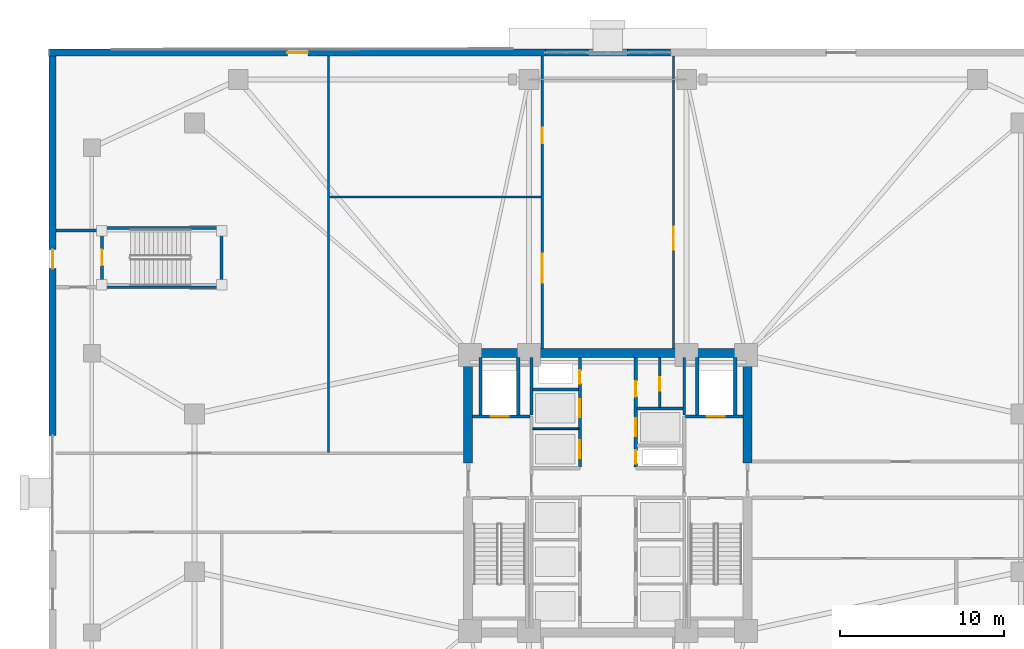
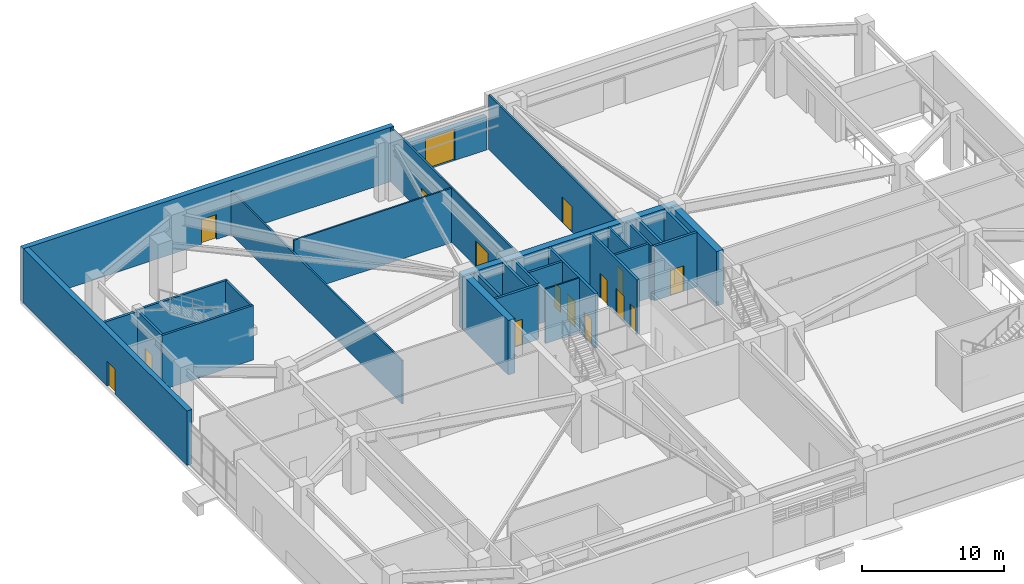
# One storey, part 11 of 21: 29 walls, 16 doors, 16 openings.
"""IFC4 building model written with IfcOpenShell, lengths in metres."""

from ifc_helpers import new_model, si_unit, direction, frame, frame_2d, origin, place, context, subcontext, project, spatial, rectangle, extrude, material, layer, layer_set, type_object, element, fill, save


model = new_model("IFC4")

# Units and contexts
model_context = context("Model", 3, precision=1e-05, world=origin(), true_north=direction((0.0, 1.0)))
body_context = subcontext(model_context, "Body", "Model", "MODEL_VIEW")
ifc_project = project(units=[si_unit("LENGTHUNIT", "METRE"), si_unit("AREAUNIT", "SQUARE_METRE"), si_unit("VOLUMEUNIT", "CUBIC_METRE"), si_unit("PLANEANGLEUNIT", "RADIAN"), si_unit("MASSUNIT", "GRAM", prefix="KILO")], contexts=[model_context])

# Site, building, storey
site_placement = place(None, origin())
site = spatial("IfcSite", under=ifc_project, at=site_placement, CompositionType="ELEMENT")
building_placement = place(site_placement, origin())
building = spatial("IfcBuilding", under=site, at=building_placement, Name="Cairnveth Concourse Tower", CompositionType="ELEMENT")
storey_placement = place(building_placement, origin())
storey = spatial("IfcBuildingStorey", under=building, at=storey_placement, Name="L00", CompositionType="ELEMENT", Elevation=0.0)

# Wall, opening, door
ifc_material_1 = material(Name="Gypsum Plasterboard Partition", Category="gypsum")
ifc_layer_1 = layer(ifc_material_1, 0.159912109375)
ifc_layer_set_1 = layer_set([ifc_layer_1], Name="Gypsum Plasterboard Partition")
wall_type_1 = type_object("IfcWallType", Name="ACOUSTIC PARTY WALL 180", PredefinedType="PARTITIONING", material=ifc_layer_set_1)
wall_1_placement = place(storey_placement, frame((55.14990234375, 44.195068359375, 0.0), z_axis=(0.0, 0.0, 1.0), x_axis=(0.0, 1.0, 0.0)))
wall_1 = element("IfcWall", 1, at=wall_1_placement, inside=storey, type_object=wall_type_1, Name="Interior Wall IW-L00-037", PredefinedType="PARTITIONING", context=body_context, shape_type="SweptSolid", body=[
    extrude(rectangle(XDim=3.044921875, YDim=0.159912109375, at=frame_2d((1.5224609375, 0.0))), origin(), (0.0, 0.0, 1.0), 4.699951171875),
])
opening_1_placement = place(wall_1_placement, frame((1.02490234375, 0.0, 0.0)))
opening_1 = element("IfcOpeningElement", 2, at=opening_1_placement, cuts=wall_1, Name="Opening ID23", PredefinedType="OPENING", context=body_context, shape_type="SweptSolid", body=[
    extrude(rectangle(XDim=0.800048828125, YDim=2.10009765625, at=frame_2d((0.39990234375, 1.050048828125))), frame((0.0, 0.08984375, 0.0), z_axis=(0.0, -1.0, 0.0), x_axis=(1.0, 0.0, 0.0)), (0.0, 0.0, 1.0), 0.179931640625),
])
ifc_material_2 = material(Name="Steel Grade 350", Category="steel")
door_type_1 = type_object("IfcDoorType", Name="CORE SERVICE DOOR 800X2100", OperationType="NOTDEFINED", PredefinedType="DOOR", material=ifc_material_2)
door_1_placement = place(opening_1_placement, origin())
door_1 = element("IfcDoor", 3, at=door_1_placement, inside=storey, type_object=door_type_1, Name="NE Linen Closet Door L00", OperationType="SINGLE_SWING_LEFT", OverallHeight=2.10009765625, OverallWidth=0.800048828125, PredefinedType="DOOR", context=body_context, shape_type="SweptSolid", body=[
    extrude(rectangle(XDim=0.800048828125, YDim=2.10009765625, at=frame_2d((0.39990234375, 1.050048828125))), frame((0.0, 0.02490234375, 0.0), z_axis=(0.0, -1.0, 0.0), x_axis=(1.0, 0.0, 0.0)), (0.0, 0.0, 1.0), 0.050048828125),
])
fill(opening_1, door_1)

# Walls
ifc_material_3 = material(Name="Concrete N80 (80 MPa)", Category="concrete")
ifc_layer_2 = layer(ifc_material_3, 0.550048828125)
ifc_layer_set_2 = layer_set([ifc_layer_2], Name="Concrete N80 (80 MPa)")
wall_type_2 = type_object("IfcWallType", Name="CORE SHEAR WALL 550", PredefinedType="SHEAR", material=ifc_layer_set_2)
wall_2_placement = place(storey_placement, frame((43.22509765625, 47.5, 0.0), z_axis=(0.0, 0.0, 1.0), x_axis=(1.0, 0.0, 0.0)))
element("IfcWall", 4, at=wall_2_placement, inside=storey, type_object=wall_type_2, Name="Core North Shear Wall L00", PredefinedType="SHEAR", context=body_context, shape_type="SweptSolid", body=[
    extrude(rectangle(XDim=17.5498046875, YDim=0.550048828125, at=frame_2d((8.77490234375, 0.0))), origin(), (0.0, 0.0, 1.0), 4.699951171875),
])
for number, where, z_axis, x_axis, name in (
    (5, (43.5, 40.800048828125, 0.0), (0.0, 0.0, 1.0), (0.0, 1.0, 0.0), "Core West Shear Wall N L00"),
    (6, (60.5, 40.800048828125, 0.0), (0.0, 0.0, 1.0), (0.0, 1.0, 0.0), "Core East Shear Wall N L00"),
):
    element("IfcWall", number, at=place(storey_placement, frame(where, z_axis=z_axis, x_axis=x_axis)), inside=storey, type_object=wall_type_2, Name=name, PredefinedType="SHEAR", context=body_context, shape_type="SweptSolid", body=[
        extrude(rectangle(XDim=6.43505859375, YDim=0.550048828125, at=frame_2d((3.217529296875, 0.0))), origin(), (0.0, 0.0, 1.0), 4.699951171875),
    ])
ifc_material_4 = material(Name="Concrete N50 (50 MPa)", Category="concrete")
ifc_layer_3 = layer(ifc_material_4, 0.179931640625)
ifc_layer_set_3 = layer_set([ifc_layer_3], Name="Concrete N50 (50 MPa)")
wall_type_3 = type_object("IfcWallType", Name="FIRE SHAFT WALL 180", PredefinedType="SOLIDWALL", material=ifc_layer_set_3)
wall_3_placement = place(storey_placement, frame((47.35009765625, 43.735107421875, 0.0), z_axis=(0.0, 0.0, 1.0), x_axis=(0.0, 1.0, 0.0)))
element("IfcWall", 7, at=wall_3_placement, inside=storey, type_object=wall_type_3, Name="Interior Wall IW-L00-031", PredefinedType="SOLIDWALL", context=body_context, shape_type="SweptSolid", body=[
    extrude(rectangle(XDim=3.5048828125, YDim=0.179931640625, at=frame_2d((1.75244140625, 0.0))), origin(), (0.0, 0.0, 1.0), 4.699951171875),
])
wall_4_placement = place(storey_placement, frame((47.425048828125, 45.280029296875, 0.0), z_axis=(0.0, 0.0, 1.0), x_axis=(1.0, 0.0, 0.0)))
element("IfcWall", 8, at=wall_4_placement, inside=storey, type_object=wall_type_3, Name="Interior Wall IW-L00-033", PredefinedType="SOLIDWALL", context=body_context, shape_type="SweptSolid", body=[
    extrude(rectangle(XDim=2.7900390625, YDim=0.179931640625, at=frame_2d((1.39501953125, 0.0))), origin(), (0.0, 0.0, 1.0), 4.699951171875),
])
wall_5_placement = place(storey_placement, frame((56.64990234375, 43.735107421875, 0.0), z_axis=(0.0, 0.0, 1.0), x_axis=(0.0, 1.0, 0.0)))
element("IfcWall", 9, at=wall_5_placement, inside=storey, type_object=wall_type_3, Name="Interior Wall IW-L00-034", PredefinedType="SOLIDWALL", context=body_context, shape_type="SweptSolid", body=[
    extrude(rectangle(XDim=3.5048828125, YDim=0.179931640625, at=frame_2d((1.75244140625, 0.0))), origin(), (0.0, 0.0, 1.0), 4.699951171875),
])
wall_6_placement = place(storey_placement, frame((53.784912109375, 44.1201171875, 0.0), z_axis=(0.0, 0.0, 1.0), x_axis=(1.0, 0.0, 0.0)))
element("IfcWall", 10, at=wall_6_placement, inside=storey, type_object=wall_type_3, Name="Interior Wall IW-L00-036", PredefinedType="SOLIDWALL", context=body_context, shape_type="SweptSolid", body=[
    extrude(rectangle(XDim=2.7900390625, YDim=0.179931640625, at=frame_2d((1.39501953125, 0.0))), origin(), (0.0, 0.0, 1.0), 4.699951171875),
])

# Wall, opening, door
wall_7_placement = place(storey_placement, frame((21.2099609375, 51.5849609375, 0.0), z_axis=(0.0, 0.0, 1.0), x_axis=(0.0, 1.0, 0.0)))
wall_7 = element("IfcWall", 11, at=wall_7_placement, inside=storey, type_object=wall_type_3, Name="Stair ST-P1 Shaft Wall NEAR L00", PredefinedType="SOLIDWALL", context=body_context, shape_type="SweptSolid", body=[
    extrude(rectangle(XDim=3.469970703125, YDim=0.179931640625, at=frame_2d((1.73486328125, 0.0))), origin(), (0.0, 0.0, 1.0), 4.699951171875),
])
opening_2_placement = place(wall_7_placement, frame((1.260009765625, 0.0, 0.0)))
opening_2 = element("IfcOpeningElement", 12, at=opening_2_placement, cuts=wall_7, Name="Opening ID12", PredefinedType="OPENING", context=body_context, shape_type="SweptSolid", body=[
    extrude(rectangle(XDim=0.949951171875, YDim=2.14990234375, at=frame_2d((0.47509765625, 1.074951171875))), frame((0.0, 0.099853515625, 0.0), z_axis=(0.0, -1.0, 0.0), x_axis=(1.0, 0.0, 0.0)), (0.0, 0.0, 1.0), 0.199951171875),
])
door_type_2 = type_object("IfcDoorType", Name="FIRE STAIR DOOR 950X2150", OperationType="NOTDEFINED", PredefinedType="DOOR", material=ifc_material_2)
door_2_placement = place(opening_2_placement, origin())
door_2 = element("IfcDoor", 13, at=door_2_placement, inside=storey, type_object=door_type_2, Name="Stair ST-P1 Fire Door L00", OperationType="SINGLE_SWING_LEFT", OverallHeight=2.14990234375, OverallWidth=0.949951171875, PredefinedType="DOOR", context=body_context, shape_type="SweptSolid", body=[
    extrude(rectangle(XDim=0.949951171875, YDim=2.14990234375, at=frame_2d((0.47509765625, 1.074951171875))), frame((0.0, 0.02490234375, 0.0), z_axis=(0.0, -1.0, 0.0), x_axis=(1.0, 0.0, 0.0)), (0.0, 0.0, 1.0), 0.050048828125),
])
fill(opening_2, door_2)

# Walls
wall_8_placement = place(storey_placement, frame((28.489990234375, 51.5849609375, 0.0), z_axis=(0.0, 0.0, 1.0), x_axis=(0.0, 1.0, 0.0)))
element("IfcWall", 14, at=wall_8_placement, inside=storey, type_object=wall_type_3, Name="Stair ST-P1 Shaft Wall FAR L00", PredefinedType="SOLIDWALL", context=body_context, shape_type="SweptSolid", body=[
    extrude(rectangle(XDim=3.469970703125, YDim=0.179931640625, at=frame_2d((1.73486328125, 0.0))), origin(), (0.0, 0.0, 1.0), 4.699951171875),
])
for number, where, z_axis, x_axis, name in (
    (15, (21.1201171875, 51.510009765625, 0.0), (0.0, 0.0, 1.0), (1.0, 0.0, 0.0), "Stair ST-P1 Shaft Wall LEFT L00"),
    (16, (21.1201171875, 55.1298828125, 0.0), (0.0, 0.0, 1.0), (1.0, 0.0, 0.0), "Stair ST-P1 Shaft Wall RGHT L00"),
):
    element("IfcWall", number, at=place(storey_placement, frame(where, z_axis=z_axis, x_axis=x_axis)), inside=storey, type_object=wall_type_3, Name=name, PredefinedType="SOLIDWALL", context=body_context, shape_type="SweptSolid", body=[
        extrude(rectangle(XDim=7.4599609375, YDim=0.179931640625, at=frame_2d((3.72998046875, 0.0))), origin(), (0.0, 0.0, 1.0), 4.699951171875),
    ])

# Wall, openings, doors
ifc_layer_4 = layer(ifc_material_4, 0.199951171875)
ifc_layer_set_4 = layer_set([ifc_layer_4], Name="Concrete N50 (50 MPa)")
wall_type_4 = type_object("IfcWallType", Name="FIRE SHAFT WALL 200", PredefinedType="SOLIDWALL", material=ifc_layer_set_4)
wall_9_placement = place(storey_placement, frame((50.300048828125, 40.5849609375, 0.0), z_axis=(0.0, 0.0, 1.0), x_axis=(0.0, 1.0, 0.0)))
wall_9 = element("IfcWall", 17, at=wall_9_placement, inside=storey, type_object=wall_type_4, Name="Interior Wall IW-L00-013", PredefinedType="SOLIDWALL", context=body_context, shape_type="SweptSolid", body=[
    extrude(rectangle(XDim=6.655029296875, YDim=0.199951171875, at=frame_2d((3.32763671875, 0.0))), origin(), (0.0, 0.0, 1.0), 4.699951171875),
])
opening_3_placement = place(wall_9_placement, frame((0.514892578125, 0.0, 0.0)))
opening_3 = element("IfcOpeningElement", 18, at=opening_3_placement, cuts=wall_9, Name="Opening LD-1", PredefinedType="OPENING", context=body_context, shape_type="SweptSolid", body=[
    extrude(rectangle(XDim=1.10009765625, YDim=2.199951171875, at=frame_2d((0.550048828125, 1.10009765625))), frame((0.0, 0.10986328125, 0.0), z_axis=(0.0, -1.0, 0.0), x_axis=(1.0, 0.0, 0.0)), (0.0, 0.0, 1.0), 0.219970703125),
])
opening_4_placement = place(wall_9_placement, frame((3.014892578125, 0.0, 0.0)))
opening_4 = element("IfcOpeningElement", 19, at=opening_4_placement, cuts=wall_9, Name="Opening LD-1", PredefinedType="OPENING", context=body_context, shape_type="SweptSolid", body=[
    extrude(rectangle(XDim=1.10009765625, YDim=2.199951171875, at=frame_2d((0.550048828125, 1.10009765625))), frame((0.0, 0.10986328125, 0.0), z_axis=(0.0, -1.0, 0.0), x_axis=(1.0, 0.0, 0.0)), (0.0, 0.0, 1.0), 0.219970703125),
])
opening_5_placement = place(wall_9_placement, frame((5.06494140625, 0.0, 0.0)))
opening_5 = element("IfcOpeningElement", 20, at=opening_5_placement, cuts=wall_9, Name="Opening ID24", PredefinedType="OPENING", context=body_context, shape_type="SweptSolid", body=[
    extrude(rectangle(XDim=0.800048828125, YDim=2.080078125, at=frame_2d((0.39990234375, 1.0400390625))), frame((0.0, 0.10986328125, 0.0), z_axis=(0.0, -1.0, 0.0), x_axis=(1.0, 0.0, 0.0)), (0.0, 0.0, 1.0), 0.219970703125),
])
ifc_material_5 = material(Name="Architectural Bronze Anodised Aluminium 6063-T6", Category="aluminium")
door_type_3 = type_object("IfcDoorType", Name="LIFT LANDING DOOR 1100X2200", OperationType="SLIDING_TO_LEFT", PredefinedType="DOOR", material=ifc_material_5)
door_3_placement = place(opening_3_placement, origin())
door_3 = element("IfcDoor", 21, at=door_3_placement, inside=storey, type_object=door_type_3, Name="Lift PL7 Landing Door L00", OperationType="SLIDING_TO_LEFT", OverallHeight=2.199951171875, OverallWidth=1.10009765625, PredefinedType="DOOR", context=body_context, shape_type="SweptSolid", body=[
    extrude(rectangle(XDim=1.10009765625, YDim=2.199951171875, at=frame_2d((0.550048828125, 1.10009765625))), frame((0.0, 0.02490234375, 0.0), z_axis=(0.0, -1.0, 0.0), x_axis=(1.0, 0.0, 0.0)), (0.0, 0.0, 1.0), 0.050048828125),
])
fill(opening_3, door_3)
door_4_placement = place(opening_4_placement, origin())
door_4 = element("IfcDoor", 22, at=door_4_placement, inside=storey, type_object=door_type_3, Name="Lift PL8 Landing Door L00", OperationType="SLIDING_TO_LEFT", OverallHeight=2.199951171875, OverallWidth=1.10009765625, PredefinedType="DOOR", context=body_context, shape_type="SweptSolid", body=[
    extrude(rectangle(XDim=1.10009765625, YDim=2.199951171875, at=frame_2d((0.550048828125, 1.10009765625))), frame((0.0, 0.02490234375, 0.0), z_axis=(0.0, -1.0, 0.0), x_axis=(1.0, 0.0, 0.0)), (0.0, 0.0, 1.0), 0.050048828125),
])
fill(opening_4, door_4)
door_type_4 = type_object("IfcDoorType", Name="RISER ACCESS DOOR 800X2100", OperationType="NOTDEFINED", PredefinedType="DOOR", material=ifc_material_2)
door_5_placement = place(opening_5_placement, origin())
door_5 = element("IfcDoor", 23, at=door_5_placement, inside=storey, type_object=door_type_4, Name="NW Electrical Riser Access Door L00", OperationType="SINGLE_SWING_LEFT", OverallHeight=2.080078125, OverallWidth=0.800048828125, PredefinedType="DOOR", context=body_context, shape_type="SweptSolid", body=[
    extrude(rectangle(XDim=0.800048828125, YDim=2.080078125, at=frame_2d((0.39990234375, 1.0400390625))), frame((0.0, 0.02490234375, 0.0), z_axis=(0.0, -1.0, 0.0), x_axis=(1.0, 0.0, 0.0)), (0.0, 0.0, 1.0), 0.050048828125),
])
fill(opening_5, door_5)

wall_10_placement = place(storey_placement, frame((53.699951171875, 40.5849609375, 0.0), z_axis=(0.0, 0.0, 1.0), x_axis=(0.0, 1.0, 0.0)))
wall_10 = element("IfcWall", 24, at=wall_10_placement, inside=storey, type_object=wall_type_4, Name="Interior Wall IW-L00-014", PredefinedType="SOLIDWALL", context=body_context, shape_type="SweptSolid", body=[
    extrude(rectangle(XDim=6.655029296875, YDim=0.199951171875, at=frame_2d((3.32763671875, 0.0))), origin(), (0.0, 0.0, 1.0), 4.699951171875),
])
opening_6_placement = place(wall_10_placement, frame((0.195068359375, 0.0, 0.0)))
opening_6 = element("IfcOpeningElement", 25, at=opening_6_placement, cuts=wall_10, Name="Opening ID24", PredefinedType="OPENING", context=body_context, shape_type="SweptSolid", body=[
    extrude(rectangle(XDim=0.800048828125, YDim=2.080078125, at=frame_2d((0.39990234375, 1.0400390625))), frame((0.0, 0.10986328125, 0.0), z_axis=(0.0, -1.0, 0.0), x_axis=(1.0, 0.0, 0.0)), (0.0, 0.0, 1.0), 0.219970703125),
])
opening_7_placement = place(wall_10_placement, frame((1.864990234375, 0.0, 0.0)))
opening_7 = element("IfcOpeningElement", 26, at=opening_7_placement, cuts=wall_10, Name="Opening LD-1", PredefinedType="OPENING", context=body_context, shape_type="SweptSolid", body=[
    extrude(rectangle(XDim=1.10009765625, YDim=2.199951171875, at=frame_2d((0.550048828125, 1.10009765625))), frame((0.0, 0.10986328125, 0.0), z_axis=(0.0, -1.0, 0.0), x_axis=(1.0, 0.0, 0.0)), (0.0, 0.0, 1.0), 0.219970703125),
])
opening_8_placement = place(wall_10_placement, frame((4.264892578125, 0.0, 0.0)))
opening_8 = element("IfcOpeningElement", 27, at=opening_8_placement, cuts=wall_10, Name="Opening ID25", PredefinedType="OPENING", context=body_context, shape_type="SweptSolid", body=[
    extrude(rectangle(XDim=0.949951171875, YDim=2.1201171875, at=frame_2d((0.47509765625, 1.06005859375))), frame((0.0, 0.10986328125, 0.0), z_axis=(0.0, -1.0, 0.0), x_axis=(1.0, 0.0, 0.0)), (0.0, 0.0, 1.0), 0.219970703125),
])
door_type_5 = type_object("IfcDoorType", Name="CORE ACCESSIBLE FIRE DOOR 950X2120", OperationType="NOTDEFINED", PredefinedType="DOOR", material=ifc_material_2)
door_6_placement = place(opening_8_placement, origin())
door_6 = element("IfcDoor", 28, at=door_6_placement, inside=storey, type_object=door_type_5, Name="Core NE Restroom Door L00", OperationType="SINGLE_SWING_RIGHT", OverallHeight=2.1201171875, OverallWidth=0.949951171875, PredefinedType="DOOR", context=body_context, shape_type="SweptSolid", body=[
    extrude(rectangle(XDim=0.949951171875, YDim=2.1201171875, at=frame_2d((0.47509765625, 1.06005859375))), frame((0.0, 0.02490234375, 0.0), z_axis=(0.0, -1.0, 0.0), x_axis=(1.0, 0.0, 0.0)), (0.0, 0.0, 1.0), 0.050048828125),
])
fill(opening_8, door_6)
door_7_placement = place(opening_7_placement, origin())
door_7 = element("IfcDoor", 29, at=door_7_placement, inside=storey, type_object=door_type_3, Name="Lift PL9 Landing Door L00", OperationType="SLIDING_TO_LEFT", OverallHeight=2.199951171875, OverallWidth=1.10009765625, PredefinedType="DOOR", context=body_context, shape_type="SweptSolid", body=[
    extrude(rectangle(XDim=1.10009765625, YDim=2.199951171875, at=frame_2d((0.550048828125, 1.10009765625))), frame((0.0, 0.02490234375, 0.0), z_axis=(0.0, -1.0, 0.0), x_axis=(1.0, 0.0, 0.0)), (0.0, 0.0, 1.0), 0.050048828125),
])
fill(opening_7, door_7)
door_8_placement = place(opening_6_placement, origin())
door_8 = element("IfcDoor", 30, at=door_8_placement, inside=storey, type_object=door_type_4, Name="Hydraulic Riser Door L00", OperationType="SINGLE_SWING_RIGHT", OverallHeight=2.080078125, OverallWidth=0.800048828125, PredefinedType="DOOR", context=body_context, shape_type="SweptSolid", body=[
    extrude(rectangle(XDim=0.800048828125, YDim=2.080078125, at=frame_2d((0.39990234375, 1.0400390625))), frame((0.0, 0.02490234375, 0.0), z_axis=(0.0, -1.0, 0.0), x_axis=(1.0, 0.0, 0.0)), (0.0, 0.0, 1.0), 0.050048828125),
])
fill(opening_6, door_8)

# Wall, opening, door
wall_11_placement = place(storey_placement, frame((43.760009765625, 43.64990234375, 0.0), z_axis=(0.0, 0.0, 1.0), x_axis=(1.0, 0.0, 0.0)))
wall_11 = element("IfcWall", 31, at=wall_11_placement, inside=storey, type_object=wall_type_4, Name="Interior Wall IW-L00-017", PredefinedType="SOLIDWALL", context=body_context, shape_type="SweptSolid", body=[
    extrude(rectangle(XDim=3.5048828125, YDim=0.199951171875, at=frame_2d((1.75244140625, 0.0))), origin(), (0.0, 0.0, 1.0), 4.699951171875),
])
opening_9_placement = place(wall_11_placement, frame((1.110107421875, 0.0, 0.0)))
opening_9 = element("IfcOpeningElement", 32, at=opening_9_placement, cuts=wall_11, Name="Opening LD-1", PredefinedType="OPENING", context=body_context, shape_type="SweptSolid", body=[
    extrude(rectangle(XDim=1.10009765625, YDim=2.199951171875, at=frame_2d((0.550048828125, 1.10009765625))), frame((0.0, 0.10986328125, 0.0), z_axis=(0.0, -1.0, 0.0), x_axis=(1.0, 0.0, 0.0)), (0.0, 0.0, 1.0), 0.219970703125),
])
door_9_placement = place(opening_9_placement, origin())
door_9 = element("IfcDoor", 33, at=door_9_placement, inside=storey, type_object=door_type_3, Name="Lift FFL1 Landing Door L00", OperationType="SLIDING_TO_LEFT", OverallHeight=2.199951171875, OverallWidth=1.10009765625, PredefinedType="DOOR", context=body_context, shape_type="SweptSolid", body=[
    extrude(rectangle(XDim=1.10009765625, YDim=2.199951171875, at=frame_2d((0.550048828125, 1.10009765625))), frame((0.0, 0.02490234375, 0.0), z_axis=(0.0, -1.0, 0.0), x_axis=(1.0, 0.0, 0.0)), (0.0, 0.0, 1.0), 0.050048828125),
])
fill(opening_9, door_9)

# Walls
for number, where, z_axis, x_axis, name in (
    (34, (46.550048828125, 43.735107421875, 0.0), (0.0, 0.0, 1.0), (0.0, 1.0, 0.0), "Interior Wall IW-L00-018"),
    (35, (44.25, 43.735107421875, 0.0), (0.0, 0.0, 1.0), (0.0, 1.0, 0.0), "Interior Wall IW-L00-019"),
):
    element("IfcWall", number, at=place(storey_placement, frame(where, z_axis=z_axis, x_axis=x_axis)), inside=storey, type_object=wall_type_4, Name=name, PredefinedType="SOLIDWALL", context=body_context, shape_type="SweptSolid", body=[
        extrude(rectangle(XDim=3.5048828125, YDim=0.199951171875, at=frame_2d((1.75244140625, 0.0))), origin(), (0.0, 0.0, 1.0), 4.699951171875),
    ])

# Wall, opening, door
wall_12_placement = place(storey_placement, frame((56.735107421875, 43.64990234375, 0.0), z_axis=(0.0, 0.0, 1.0), x_axis=(1.0, 0.0, 0.0)))
wall_12 = element("IfcWall", 36, at=wall_12_placement, inside=storey, type_object=wall_type_4, Name="Interior Wall IW-L00-022", PredefinedType="SOLIDWALL", context=body_context, shape_type="SweptSolid", body=[
    extrude(rectangle(XDim=3.5048828125, YDim=0.199951171875, at=frame_2d((1.75244140625, 0.0))), origin(), (0.0, 0.0, 1.0), 4.699951171875),
])
opening_10_placement = place(wall_12_placement, frame((1.294921875, 0.0, 0.0)))
opening_10 = element("IfcOpeningElement", 37, at=opening_10_placement, cuts=wall_12, Name="Opening LD-1", PredefinedType="OPENING", context=body_context, shape_type="SweptSolid", body=[
    extrude(rectangle(XDim=1.10009765625, YDim=2.199951171875, at=frame_2d((0.550048828125, 1.10009765625))), frame((0.0, 0.10986328125, 0.0), z_axis=(0.0, -1.0, 0.0), x_axis=(1.0, 0.0, 0.0)), (0.0, 0.0, 1.0), 0.219970703125),
])
door_10_placement = place(opening_10_placement, origin())
door_10 = element("IfcDoor", 38, at=door_10_placement, inside=storey, type_object=door_type_3, Name="Lift FFL2 Landing Door L00", OperationType="SLIDING_TO_LEFT", OverallHeight=2.199951171875, OverallWidth=1.10009765625, PredefinedType="DOOR", context=body_context, shape_type="SweptSolid", body=[
    extrude(rectangle(XDim=1.10009765625, YDim=2.199951171875, at=frame_2d((0.550048828125, 1.10009765625))), frame((0.0, 0.02490234375, 0.0), z_axis=(0.0, -1.0, 0.0), x_axis=(1.0, 0.0, 0.0)), (0.0, 0.0, 1.0), 0.050048828125),
])
fill(opening_10, door_10)

# Walls
for number, where, z_axis, x_axis, name in (
    (39, (57.449951171875, 43.735107421875, 0.0), (0.0, 0.0, 1.0), (0.0, 1.0, 0.0), "Interior Wall IW-L00-023"),
    (40, (59.75, 43.735107421875, 0.0), (0.0, 0.0, 1.0), (0.0, 1.0, 0.0), "Interior Wall IW-L00-024"),
):
    element("IfcWall", number, at=place(storey_placement, frame(where, z_axis=z_axis, x_axis=x_axis)), inside=storey, type_object=wall_type_4, Name=name, PredefinedType="SOLIDWALL", context=body_context, shape_type="SweptSolid", body=[
        extrude(rectangle(XDim=3.5048828125, YDim=0.199951171875, at=frame_2d((1.75244140625, 0.0))), origin(), (0.0, 0.0, 1.0), 4.699951171875),
    ])
wall_13_placement = place(storey_placement, frame((18.419921875, 54.969970703125, 0.0), z_axis=(0.0, 0.0, 1.0), x_axis=(1.0, 0.0, 0.0)))
element("IfcWall", 41, at=wall_13_placement, inside=storey, type_object=wall_type_4, Name="Stair ST-P1 Exit Passage North Wall L00", PredefinedType="SOLIDWALL", context=body_context, shape_type="SweptSolid", body=[
    extrude(rectangle(XDim=2.7001953125, YDim=0.199951171875, at=frame_2d((1.35009765625, 0.0))), origin(), (0.0, 0.0, 1.0), 4.699951171875),
])

# Wall, openings, doors
ifc_layer_5 = layer(ifc_material_1, 0.139892578125)
ifc_layer_set_5 = layer_set([ifc_layer_5], Name="Gypsum Plasterboard Partition")
wall_type_5 = type_object("IfcWallType", Name="GYPSUM STUD PARTITION 140", PredefinedType="PARTITIONING", material=ifc_layer_set_5)
wall_14_placement = place(storey_placement, frame((48.0, 47.780029296875, 0.0), z_axis=(0.0, 0.0, 1.0), x_axis=(0.0, 1.0, 0.0)))
wall_14 = element("IfcWall", 42, at=wall_14_placement, inside=storey, type_object=wall_type_5, Name="Interior Wall IW-L00-038", PredefinedType="PARTITIONING", context=body_context, shape_type="SweptSolid", body=[
    extrude(rectangle(XDim=17.800048828125, YDim=0.139892578125, at=frame_2d((8.89990234375, 0.0))), origin(), (0.0, 0.0, 1.0), 4.699951171875),
])
opening_11_placement = place(wall_14_placement, frame((4.0, 0.0, 0.0)))
opening_11 = element("IfcOpeningElement", 43, at=opening_11_placement, cuts=wall_14, Name="Opening ID27", PredefinedType="OPENING", context=body_context, shape_type="SweptSolid", body=[
    extrude(rectangle(XDim=1.760009765625, YDim=2.199951171875, at=frame_2d((0.8798828125, 1.10009765625))), frame((0.0, 0.079833984375, 0.0), z_axis=(0.0, -1.0, 0.0), x_axis=(1.0, 0.0, 0.0)), (0.0, 0.0, 1.0), 0.159912109375),
])
opening_12_placement = place(wall_14_placement, frame((12.5, 0.0, 0.0)))
opening_12 = element("IfcOpeningElement", 44, at=opening_12_placement, cuts=wall_14, Name="Opening ID13", PredefinedType="OPENING", context=body_context, shape_type="SweptSolid", body=[
    extrude(rectangle(XDim=0.949951171875, YDim=2.10009765625, at=frame_2d((0.47509765625, 1.050048828125))), frame((0.0, 0.079833984375, 0.0), z_axis=(0.0, -1.0, 0.0), x_axis=(1.0, 0.0, 0.0)), (0.0, 0.0, 1.0), 0.159912109375),
])
ifc_material_6 = material(Name="Solid Core Hardwood Timber Leaf", Category="wood")
door_type_6 = type_object("IfcDoorType", Name="ACCESSIBLE WC DOOR 950X2100", OperationType="NOTDEFINED", PredefinedType="DOOR", material=ifc_material_6)
door_11_placement = place(opening_12_placement, origin())
door_11 = element("IfcDoor", 45, at=door_11_placement, inside=storey, type_object=door_type_6, Name="Interior Door DR-L00-030", OperationType="SINGLE_SWING_RIGHT", OverallHeight=2.10009765625, OverallWidth=0.949951171875, PredefinedType="DOOR", context=body_context, shape_type="SweptSolid", body=[
    extrude(rectangle(XDim=0.949951171875, YDim=2.10009765625, at=frame_2d((0.47509765625, 1.050048828125))), frame((0.0, 0.02490234375, 0.0), z_axis=(0.0, -1.0, 0.0), x_axis=(1.0, 0.0, 0.0)), (0.0, 0.0, 1.0), 0.050048828125),
])
fill(opening_12, door_11)
door_type_7 = type_object("IfcDoorType", Name="CONCOURSE DOUBLE DOOR 1760X2200", OperationType="DOUBLE_DOOR_SINGLE_SWING", PredefinedType="DOOR", material=ifc_material_6)
door_12_placement = place(opening_11_placement, origin())
door_12 = element("IfcDoor", 46, at=door_12_placement, inside=storey, type_object=door_type_7, Name="Interior Door DR-L00-029", OperationType="DOUBLE_DOOR_SINGLE_SWING", OverallHeight=2.199951171875, OverallWidth=1.760009765625, PredefinedType="DOOR", context=body_context, shape_type="SweptSolid", body=[
    extrude(rectangle(XDim=1.760009765625, YDim=2.199951171875, at=frame_2d((0.8798828125, 1.10009765625))), frame((0.0, 0.02490234375, 0.0), z_axis=(0.0, -1.0, 0.0), x_axis=(1.0, 0.0, 0.0)), (0.0, 0.0, 1.0), 0.050048828125),
])
fill(opening_11, door_12)

# Wall, opening, door
wall_15_placement = place(storey_placement, frame((56.0, 47.780029296875, 0.0), z_axis=(0.0, 0.0, 1.0), x_axis=(0.0, 1.0, 0.0)))
wall_15 = element("IfcWall", 47, at=wall_15_placement, inside=storey, type_object=wall_type_5, Name="Interior Wall IW-L00-039", PredefinedType="PARTITIONING", context=body_context, shape_type="SweptSolid", body=[
    extrude(rectangle(XDim=17.800048828125, YDim=0.139892578125, at=frame_2d((8.89990234375, 0.0))), origin(), (0.0, 0.0, 1.0), 4.699951171875),
])
opening_13_placement = place(wall_15_placement, frame((6.0, 0.0, 0.0)))
opening_13 = element("IfcOpeningElement", 48, at=opening_13_placement, cuts=wall_15, Name="Opening ID03", PredefinedType="OPENING", context=body_context, shape_type="SweptSolid", body=[
    extrude(rectangle(XDim=1.39990234375, YDim=2.199951171875, at=frame_2d((0.699951171875, 1.10009765625))), frame((0.0, 0.079833984375, 0.0), z_axis=(0.0, -1.0, 0.0), x_axis=(1.0, 0.0, 0.0)), (0.0, 0.0, 1.0), 0.159912109375),
])
door_type_8 = type_object("IfcDoorType", Name="RETAIL GLAZED DOOR 1400X2200", OperationType="DOUBLE_DOOR_SINGLE_SWING", PredefinedType="DOOR", material=ifc_material_5)
door_13_placement = place(opening_13_placement, origin())
door_13 = element("IfcDoor", 49, at=door_13_placement, inside=storey, type_object=door_type_8, Name="Interior Door DR-L00-031", OperationType="SINGLE_SWING_LEFT", OverallHeight=2.199951171875, OverallWidth=1.39990234375, PredefinedType="DOOR", context=body_context, shape_type="SweptSolid", body=[
    extrude(rectangle(XDim=1.39990234375, YDim=2.199951171875, at=frame_2d((0.699951171875, 1.10009765625))), frame((0.0, 0.02490234375, 0.0), z_axis=(0.0, -1.0, 0.0), x_axis=(1.0, 0.0, 0.0)), (0.0, 0.0, 1.0), 0.050048828125),
])
fill(opening_13, door_13)

# Wall
wall_16_placement = place(storey_placement, frame((35.0, 41.455078125, 0.0), z_axis=(0.0, 0.0, 1.0), x_axis=(0.0, 1.0, 0.0)))
element("IfcWall", 50, at=wall_16_placement, inside=storey, type_object=wall_type_5, Name="Interior Wall IW-L00-057", PredefinedType="PARTITIONING", context=body_context, shape_type="SweptSolid", body=[
    extrude(rectangle(XDim=24.125, YDim=0.139892578125, at=frame_2d((12.0625, 0.0))), origin(), (0.0, 0.0, 1.0), 3.7509765625),
])

# Wall, opening, door
ifc_material_7 = material(Name="Hawthorn Red-Ochre Fired Clay Brick Masonry", Category="masonry")
ifc_layer_6 = layer(ifc_material_7, 0.419921875)
ifc_layer_set_6 = layer_set([ifc_layer_6], Name="Hawthorn Red-Ochre Fired Clay Brick Masonry")
wall_type_6 = type_object("IfcWallType", Name="PODIUM HAWTHORN BRICK WALL 420", PredefinedType="SOLIDWALL", material=ifc_layer_set_6)
wall_17_placement = place(storey_placement, frame((18.0, 65.7900390625, 0.0), z_axis=(0.0, 0.0, 1.0), x_axis=(1.0, 0.0, 0.0)))
wall_17 = element("IfcWall", 51, at=wall_17_placement, inside=storey, type_object=wall_type_6, Name="Exterior Wall EW-L00-NW", PredefinedType="SOLIDWALL", context=body_context, shape_type="SweptSolid", body=[
    extrude(rectangle(XDim=30.199951171875, YDim=0.419921875, at=frame_2d((15.10009765625, 0.0))), origin(), (0.0, 0.0, 1.0), 4.699951171875),
])
opening_14_placement = place(wall_17_placement, frame((14.5, 0.0, 0.0)))
opening_14 = element("IfcOpeningElement", 52, at=opening_14_placement, cuts=wall_17, Name="Opening SG-01", PredefinedType="OPENING", context=body_context, shape_type="SweptSolid", body=[
    extrude(rectangle(XDim=1.25, YDim=2.14990234375, at=frame_2d((0.625, 1.074951171875))), frame((0.0, 0.219970703125, 0.0), z_axis=(0.0, -1.0, 0.0), x_axis=(1.0, 0.0, 0.0)), (0.0, 0.0, 1.0), 0.43994140625),
])
door_type_9 = type_object("IfcDoorType", Name="APRON PEDESTRIAN SECURITY GATE 1250X2150", OperationType="NOTDEFINED", PredefinedType="GATE", material=ifc_material_5)
door_14_placement = place(opening_14_placement, origin())
door_14 = element("IfcDoor", 53, at=door_14_placement, inside=storey, type_object=door_type_9, Name="North Service Alcove Gate SG-04", OperationType="SINGLE_SWING_LEFT", OverallHeight=2.14990234375, OverallWidth=1.25, PredefinedType="GATE", context=body_context, shape_type="SweptSolid", body=[
    extrude(rectangle(XDim=1.25, YDim=2.14990234375, at=frame_2d((0.625, 1.074951171875))), frame((0.0, 0.02490234375, 0.0), z_axis=(0.0, -1.0, 0.0), x_axis=(1.0, 0.0, 0.0)), (0.0, 0.0, 1.0), 0.050048828125),
])
fill(opening_14, door_14)

wall_18_placement = place(storey_placement, frame((48.199951171875, 65.7900390625, 0.0), z_axis=(0.0, 0.0, 1.0), x_axis=(1.0, 0.0, 0.0)))
wall_18 = element("IfcWall", 54, at=wall_18_placement, inside=storey, type_object=wall_type_6, Name="Exterior Wall EW-L00-NP", PredefinedType="SOLIDWALL", context=body_context, shape_type="SweptSolid", body=[
    extrude(rectangle(XDim=7.60009765625, YDim=0.419921875, at=frame_2d((3.800048828125, 0.0))), origin(), (0.0, 0.0, 1.0), 2.85009765625),
])
opening_15_placement = place(wall_18_placement, frame((2.60009765625, 0.0, 0.0)))
opening_15 = element("IfcOpeningElement", 55, at=opening_15_placement, cuts=wall_18, Name="Opening ED1", PredefinedType="OPENING", context=body_context, shape_type="SweptSolid", body=[
    extrude(rectangle(XDim=2.39990234375, YDim=2.699951171875, at=frame_2d((1.199951171875, 1.35009765625))), frame((0.0, 0.219970703125, 0.0), z_axis=(0.0, -1.0, 0.0), x_axis=(1.0, 0.0, 0.0)), (0.0, 0.0, 1.0), 0.43994140625),
])
door_type_10 = type_object("IfcDoorType", Name="CONCOURSE GRAND ENTRANCE DOUBLE DOOR 2400X2700", OperationType="DOUBLE_DOOR_SINGLE_SWING", PredefinedType="DOOR", material=ifc_material_5)
door_15_placement = place(opening_15_placement, origin())
door_15 = element("IfcDoor", 56, at=door_15_placement, inside=storey, type_object=door_type_10, Name="North Street Concourse Entrance Door", OperationType="SINGLE_SWING_LEFT", OverallHeight=2.699951171875, OverallWidth=2.39990234375, PredefinedType="DOOR", context=body_context, shape_type="SweptSolid", body=[
    extrude(rectangle(XDim=2.39990234375, YDim=2.699951171875, at=frame_2d((1.199951171875, 1.35009765625))), frame((0.0, 0.02490234375, 0.0), z_axis=(0.0, -1.0, 0.0), x_axis=(1.0, 0.0, 0.0)), (0.0, 0.0, 1.0), 0.050048828125),
])
fill(opening_15, door_15)

wall_19_placement = place(storey_placement, frame((18.2099609375, 42.5, 0.0), z_axis=(0.0, 0.0, 1.0), x_axis=(0.0, 1.0, 0.0)))
wall_19 = element("IfcWall", 57, at=wall_19_placement, inside=storey, type_object=wall_type_6, Name="Exterior Wall EW-L00-W2", PredefinedType="SOLIDWALL", context=body_context, shape_type="SweptSolid", body=[
    extrude(rectangle(XDim=23.094970703125, YDim=0.419921875, at=frame_2d((11.54736328125, 0.0))), origin(), (0.0, 0.0, 1.0), 4.699951171875),
])
opening_16_placement = place(wall_19_placement, frame((10.14990234375, 0.0, 0.0)))
opening_16 = element("IfcOpeningElement", 58, at=opening_16_placement, cuts=wall_19, Name="Opening ED3", PredefinedType="OPENING", context=body_context, shape_type="SweptSolid", body=[
    extrude(rectangle(XDim=1.14990234375, YDim=2.14990234375, at=frame_2d((0.574951171875, 1.074951171875))), frame((0.0, 0.219970703125, 0.0), z_axis=(0.0, -1.0, 0.0), x_axis=(1.0, 0.0, 0.0)), (0.0, 0.0, 1.0), 0.43994140625),
])
door_type_11 = type_object("IfcDoorType", Name="FINAL EXIT DISCHARGE DOOR 1150X2150", OperationType="NOTDEFINED", PredefinedType="DOOR", material=ifc_material_5)
door_16_placement = place(opening_16_placement, origin())
door_16 = element("IfcDoor", 59, at=door_16_placement, inside=storey, type_object=door_type_11, Name="North-West Final Exit Discharge Door", OperationType="SINGLE_SWING_LEFT", OverallHeight=2.14990234375, OverallWidth=1.14990234375, PredefinedType="DOOR", context=body_context, shape_type="SweptSolid", body=[
    extrude(rectangle(XDim=1.14990234375, YDim=2.14990234375, at=frame_2d((0.574951171875, 1.074951171875))), frame((0.0, 0.02490234375, 0.0), z_axis=(0.0, -1.0, 0.0), x_axis=(1.0, 0.0, 0.0)), (0.0, 0.0, 1.0), 0.050048828125),
])
fill(opening_16, door_16)

# Walls
ifc_layer_7 = layer(ifc_material_1, 0.110107421875)
ifc_layer_set_7 = layer_set([ifc_layer_7], Name="Gypsum Plasterboard Partition")
wall_type_7 = type_object("IfcWallType", Name="SHAFT DIVIDER WALL 140", PredefinedType="PARTITIONING", material=ifc_layer_set_7)
wall_20_placement = place(storey_placement, frame((47.43505859375, 42.89990234375, 0.0), z_axis=(0.0, 0.0, 1.0), x_axis=(1.0, 0.0, 0.0)))
element("IfcWall", 60, at=wall_20_placement, inside=storey, type_object=wall_type_7, Name="Interior Wall IW-L00-032", PredefinedType="PARTITIONING", context=body_context, shape_type="SweptSolid", body=[
    extrude(rectangle(XDim=2.780029296875, YDim=0.110107421875, at=frame_2d((1.39013671875, 0.0))), origin(), (0.0, 0.0, 1.0), 4.699951171875),
])
ifc_layer_8 = layer(ifc_material_1, 0.1298828125)
ifc_layer_set_8 = layer_set([ifc_layer_8], Name="Gypsum Plasterboard Partition")
wall_type_8 = type_object("IfcWallType", Name="WET AREA PARTITION 140", PredefinedType="PLUMBINGWALL", material=ifc_layer_set_8)
wall_21_placement = place(storey_placement, frame((35.054931640625, 57.0, 0.0), z_axis=(0.0, 0.0, 1.0), x_axis=(1.0, 0.0, 0.0)))
element("IfcWall", 61, at=wall_21_placement, inside=storey, type_object=wall_type_8, Name="Interior Wall IW-L00-058", PredefinedType="PLUMBINGWALL", context=body_context, shape_type="SweptSolid", body=[
    extrude(rectangle(XDim=12.89013671875, YDim=0.1298828125, at=frame_2d((6.445068359375, 0.0))), origin(), (0.0, 0.0, 1.0), 4.699951171875),
])

save(model, "model.ifc")
